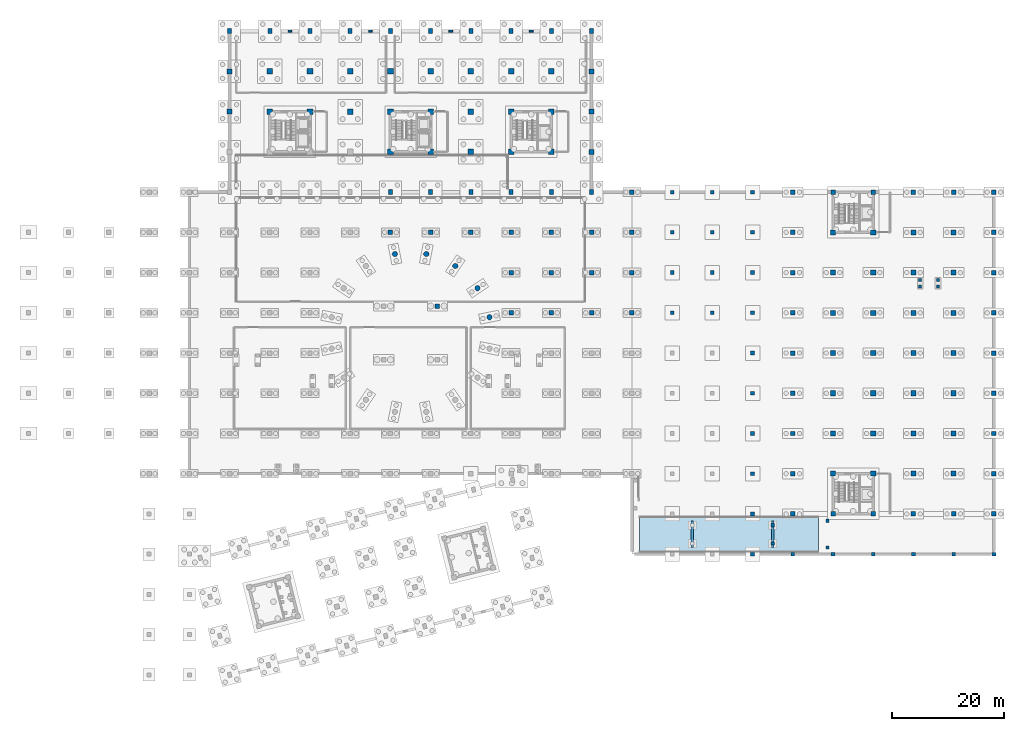
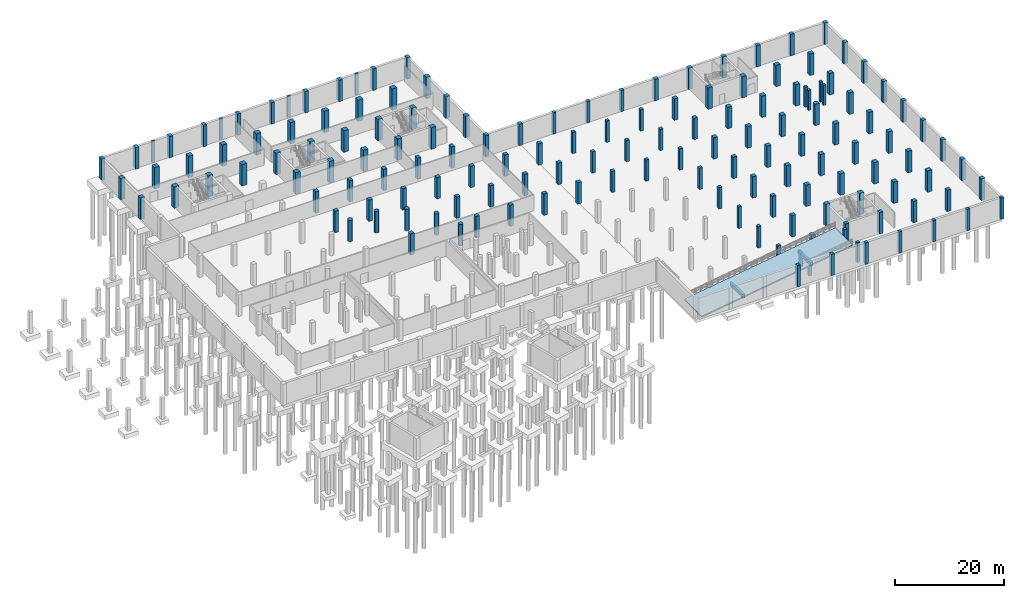
# One storey, part 8 of 19: 154 columns, 2 beams, 1 slab.
"""IFC4 building model written with IfcOpenShell, lengths in metres."""

from ifc_helpers import new_model, si_unit, direction, frame, origin, origin_2d, place, context, subcontext, project, spatial, polyline, rectangle, circle, outline, extrude, material, layer, layer_set, material_profile, profile_set, type_object, element, save


model = new_model("IFC4")

# Units and contexts
model_context = context("Model", 3, precision=1e-05, world=origin(), true_north=direction((0.0, 1.0)))
body_context = subcontext(model_context, "Body", "Model", "MODEL_VIEW")
ifc_project = project(units=[si_unit("LENGTHUNIT", "METRE"), si_unit("AREAUNIT", "SQUARE_METRE"), si_unit("VOLUMEUNIT", "CUBIC_METRE"), si_unit("PLANEANGLEUNIT", "RADIAN"), si_unit("MASSUNIT", "GRAM", prefix="KILO")], contexts=[model_context])

# Site, building, storey
site_placement = place(None, origin())
site = spatial("IfcSite", under=ifc_project, at=site_placement, CompositionType="ELEMENT")
building_placement = place(site_placement, origin())
building = spatial("IfcBuilding", under=site, at=building_placement, Name="Qiaolan Assembly House", CompositionType="ELEMENT")
storey_placement = place(building_placement, frame((0.0, 0.0, -4.800048828125)))
storey = spatial("IfcBuildingStorey", under=building, at=storey_placement, Name="B1", CompositionType="ELEMENT", Elevation=-4.800048828125)

# Columns
ifc_material_1 = material(Name="Concrete C50/60", Category="concrete")
ifc_material_profile_1 = material_profile(ifc_material_1, circle(Radius=0.47509765625, at=origin_2d()), Name="CIRC D950")
ifc_profile_set_1 = profile_set([ifc_material_profile_1], Name="Concrete C50/60")
column_type_1 = type_object("IfcColumnType", Name="COL-DRUM-D950", PredefinedType="COLUMN", material=ifc_profile_set_1)
for number, where, z_axis, x_axis, name in (
    (1, (82.523193359375, 64.00927734375, 0.0), (0.0, 0.0, 1.0), (1.0, 0.0, 0.0), "DC-01 chamber drum pier 1 B1"),
    (2, (80.373046875, 69.2001953125, 0.0), (0.0, 0.0, 1.0), (1.0, 0.0, 0.0), "DC-01 chamber drum pier 2 B1"),
    (3, (76.400146484375, 73.173095703125, 0.0), (0.0, 0.0, 1.0), (1.0, 0.0, 0.0), "DC-01 chamber drum pier 3 B1"),
    (4, (71.209228515625, 75.3232421875, 0.0), (0.0, 0.0, 1.0), (1.0, 0.0, 0.0), "DC-01 chamber drum pier 4 B1"),
    (5, (65.5908203125, 75.3232421875, 0.0), (0.0, 0.0, 1.0), (1.0, 0.0, 0.0), "DC-01 chamber drum pier 5 B1"),
):
    element("IfcColumn", number, at=place(storey_placement, frame(where, z_axis=z_axis, x_axis=x_axis)), inside=storey, type_object=column_type_1, Name=name, PredefinedType="COLUMN", context=body_context, shape_type="SweptSolid", body=[
        extrude(circle(Radius=0.47509765625, at=origin_2d()), origin(), (0.0, 0.0, 1.0), 4.800048828125),
    ])
ifc_material_profile_2 = material_profile(ifc_material_1, rectangle(XDim=1.0, YDim=1.0, at=origin_2d()), Name="RC 1000x1000")
ifc_profile_set_2 = profile_set([ifc_material_profile_2], Name="Concrete C50/60")
column_type_2 = type_object("IfcColumnType", Name="COL-RC-1000", PredefinedType="COLUMN", material=ifc_profile_set_2)
for number, where, z_axis, x_axis, name in (
    (6, (43.199951171875, 100.800048828125, 0.0), (0.0, 0.0, 1.0), (1.0, 0.0, 0.0), "RC-01 column NW B1"),
    (7, (43.199951171875, 108.0, 0.0), (0.0, 0.0, 1.0), (1.0, 0.0, 0.0), "RC-01 column NW B1"),
    (8, (50.39990234375, 100.800048828125, 0.0), (0.0, 0.0, 1.0), (1.0, 0.0, 0.0), "RC-01 column NW B1"),
    (9, (50.39990234375, 108.0, 0.0), (0.0, 0.0, 1.0), (1.0, 0.0, 0.0), "RC-01 column NW B1"),
    (10, (57.60009765625, 100.800048828125, 0.0), (0.0, 0.0, 1.0), (1.0, 0.0, 0.0), "RC-01 column NW B1"),
    (11, (57.60009765625, 108.0, 0.0), (0.0, 0.0, 1.0), (1.0, 0.0, 0.0), "RC-01 column NW B1"),
    (12, (64.800048828125, 93.60009765625, 0.0), (0.0, 0.0, 1.0), (1.0, 0.0, 0.0), "RC-01 column NW B1"),
    (13, (64.800048828125, 100.800048828125, 0.0), (0.0, 0.0, 1.0), (1.0, 0.0, 0.0), "RC-01 column NW B1"),
    (14, (64.800048828125, 108.0, 0.0), (0.0, 0.0, 1.0), (1.0, 0.0, 0.0), "RC-01 column NW B1"),
    (15, (72.0, 93.60009765625, 0.0), (0.0, 0.0, 1.0), (1.0, 0.0, 0.0), "RC-01 column NW B1"),
    (16, (72.0, 100.800048828125, 0.0), (0.0, 0.0, 1.0), (1.0, 0.0, 0.0), "RC-01 column NW B1"),
    (17, (72.0, 108.0, 0.0), (0.0, 0.0, 1.0), (1.0, 0.0, 0.0), "RC-01 column NW B1"),
    (18, (79.199951171875, 93.60009765625, 0.0), (0.0, 0.0, 1.0), (1.0, 0.0, 0.0), "RC-01 column NW B1"),
    (19, (79.199951171875, 100.800048828125, 0.0), (0.0, 0.0, 1.0), (1.0, 0.0, 0.0), "RC-01 column NW B1"),
    (20, (79.199951171875, 108.0, 0.0), (0.0, 0.0, 1.0), (1.0, 0.0, 0.0), "RC-01 column NW B1"),
    (21, (86.39990234375, 93.60009765625, 0.0), (0.0, 0.0, 1.0), (1.0, 0.0, 0.0), "RC-01 column NW B1"),
    (22, (86.39990234375, 100.800048828125, 0.0), (0.0, 0.0, 1.0), (1.0, 0.0, 0.0), "RC-01 column NW B1"),
    (23, (86.39990234375, 108.0, 0.0), (0.0, 0.0, 1.0), (1.0, 0.0, 0.0), "RC-01 column NW B1"),
    (24, (93.60009765625, 93.60009765625, 0.0), (0.0, 0.0, 1.0), (1.0, 0.0, 0.0), "RC-01 column NW B1"),
    (25, (93.60009765625, 100.800048828125, 0.0), (0.0, 0.0, 1.0), (1.0, 0.0, 0.0), "RC-01 column NW B1"),
    (26, (93.60009765625, 108.0, 0.0), (0.0, 0.0, 1.0), (1.0, 0.0, 0.0), "RC-01 column NW B1"),
):
    element("IfcColumn", number, at=place(storey_placement, frame(where, z_axis=z_axis, x_axis=x_axis)), inside=storey, type_object=column_type_2, Name=name, PredefinedType="COLUMN", context=body_context, shape_type="SweptSolid", body=[
        extrude(rectangle(XDim=1.0, YDim=1.0, at=origin_2d()), origin(), (0.0, 0.0, 1.0), 4.800048828125),
    ])
ifc_material_2 = material(Name="Concrete C40/50", Category="concrete")
ifc_material_profile_3 = material_profile(ifc_material_2, rectangle(XDim=0.550048828125, YDim=0.550048828125, at=origin_2d()), Name="RC 550x550")
ifc_profile_set_3 = profile_set([ifc_material_profile_3], Name="Concrete C40/50")
column_type_3 = type_object("IfcColumnType", Name="COL-RC-550", PredefinedType="COLUMN", material=ifc_profile_set_3)
for number, where, z_axis, x_axis, name in (
    (27, (159.60009765625, 69.5, 0.0), (0.0, 0.0, 1.0), (1.0, 0.0, 0.0), "RC-10 library stair B1 column 1"),
    (28, (162.800048828125, 69.5, 0.0), (0.0, 0.0, 1.0), (1.0, 0.0, 0.0), "RC-10 library stair B1 column 2"),
    (29, (159.60009765625, 70.699951171875, 0.0), (0.0, 0.0, 1.0), (1.0, 0.0, 0.0), "RC-10 library stair B1 column 3"),
    (30, (162.800048828125, 70.699951171875, 0.0), (0.0, 0.0, 1.0), (1.0, 0.0, 0.0), "RC-10 library stair B1 column 4"),
):
    element("IfcColumn", number, at=place(storey_placement, frame(where, z_axis=z_axis, x_axis=x_axis)), inside=storey, type_object=column_type_3, Name=name, PredefinedType="COLUMN", context=body_context, shape_type="SweptSolid", body=[
        extrude(rectangle(XDim=0.550048828125, YDim=0.550048828125, at=origin_2d()), origin(), (0.0, 0.0, 1.0), 4.5),
    ])
ifc_material_profile_4 = material_profile(ifc_material_2, rectangle(XDim=0.60009765625, YDim=0.60009765625, at=origin_2d()), Name="RC 600x600")
ifc_profile_set_4 = profile_set([ifc_material_profile_4], Name="Concrete C40/50")
column_type_4 = type_object("IfcColumnType", Name="COL-RC-600", PredefinedType="COLUMN", material=ifc_profile_set_4)
for number, where, z_axis, x_axis, name in (
    (31, (143.0, 22.800048828125, 0.0), (0.0, 0.0, 1.0), (1.0, 0.0, 0.0), "RC-09 service apron support pier 143-22"),
    (32, (143.0, 27.60009765625, 0.0), (0.0, 0.0, 1.0), (1.0, 0.0, 0.0), "RC-09 service apron support pier 143-27"),
):
    element("IfcColumn", number, at=place(storey_placement, frame(where, z_axis=z_axis, x_axis=x_axis)), inside=storey, type_object=column_type_4, Name=name, PredefinedType="COLUMN", context=body_context, shape_type="SweptSolid", body=[
        extrude(rectangle(XDim=0.60009765625, YDim=0.60009765625, at=origin_2d()), origin(), (0.0, 0.0, 1.0), 4.5),
    ])
for number, where, z_axis, x_axis, name in (
    (33, (133.199951171875, 23.5, 0.0), (0.0, 0.0, 1.0), (1.0, 0.0, 0.0), "RC-09 vehicle ramp pier 1"),
    (34, (133.199951171875, 26.800048828125, 0.0), (0.0, 0.0, 1.0), (1.0, 0.0, 0.0), "RC-09 vehicle ramp pier 1"),
):
    element("IfcColumn", number, at=place(storey_placement, frame(where, z_axis=z_axis, x_axis=x_axis)), inside=storey, type_object=column_type_4, Name=name, PredefinedType="COLUMN", context=body_context, shape_type="SweptSolid", body=[
        extrude(rectangle(XDim=0.60009765625, YDim=0.60009765625, at=origin_2d()), origin(), (0.0, 0.0, 1.0), 3.2900390625),
    ])
ifc_material_profile_5 = material_profile(ifc_material_2, rectangle(XDim=0.64990234375, YDim=0.64990234375, at=origin_2d()), Name="RC 650x650")
ifc_profile_set_5 = profile_set([ifc_material_profile_5], Name="Concrete C40/50")
column_type_5 = type_object("IfcColumnType", Name="COL-RC-650", PredefinedType="COLUMN", material=ifc_profile_set_5)
for number, where, z_axis, x_axis, name in (
    (35, (115.199951171875, 64.800048828125, 0.0), (0.0, 0.0, 1.0), (1.0, 0.0, 0.0), "RC-08 carpark/cloister column B1"),
    (36, (115.199951171875, 72.0, 0.0), (0.0, 0.0, 1.0), (1.0, 0.0, 0.0), "RC-08 carpark/cloister column B1"),
    (37, (115.199951171875, 79.199951171875, 0.0), (0.0, 0.0, 1.0), (1.0, 0.0, 0.0), "RC-08 carpark/cloister column B1"),
    (38, (115.199951171875, 86.39990234375, 0.0), (0.0, 0.0, 1.0), (1.0, 0.0, 0.0), "RC-08 carpark/cloister column B1"),
    (39, (122.39990234375, 64.800048828125, 0.0), (0.0, 0.0, 1.0), (1.0, 0.0, 0.0), "RC-08 carpark/cloister column B1"),
    (40, (122.39990234375, 72.0, 0.0), (0.0, 0.0, 1.0), (1.0, 0.0, 0.0), "RC-08 carpark/cloister column B1"),
    (41, (122.39990234375, 79.199951171875, 0.0), (0.0, 0.0, 1.0), (1.0, 0.0, 0.0), "RC-08 carpark/cloister column B1"),
    (42, (122.39990234375, 86.39990234375, 0.0), (0.0, 0.0, 1.0), (1.0, 0.0, 0.0), "RC-08 carpark/cloister column B1"),
    (43, (129.60009765625, 21.60009765625, 0.0), (0.0, 0.0, 1.0), (1.0, 0.0, 0.0), "RC-08 carpark/cloister column B1"),
    (44, (129.60009765625, 28.800048828125, 0.0), (0.0, 0.0, 1.0), (1.0, 0.0, 0.0), "RC-08 carpark/cloister column B1"),
    (45, (129.60009765625, 36.0, 0.0), (0.0, 0.0, 1.0), (1.0, 0.0, 0.0), "RC-08 carpark/cloister column B1"),
    (46, (129.60009765625, 43.199951171875, 0.0), (0.0, 0.0, 1.0), (1.0, 0.0, 0.0), "RC-08 carpark/cloister column B1"),
    (47, (129.60009765625, 50.39990234375, 0.0), (0.0, 0.0, 1.0), (1.0, 0.0, 0.0), "RC-08 carpark/cloister column B1"),
    (48, (129.60009765625, 57.60009765625, 0.0), (0.0, 0.0, 1.0), (1.0, 0.0, 0.0), "RC-08 carpark/cloister column B1"),
    (49, (129.60009765625, 64.800048828125, 0.0), (0.0, 0.0, 1.0), (1.0, 0.0, 0.0), "RC-08 carpark/cloister column B1"),
    (50, (129.60009765625, 72.0, 0.0), (0.0, 0.0, 1.0), (1.0, 0.0, 0.0), "RC-08 carpark/cloister column B1"),
    (51, (129.60009765625, 79.199951171875, 0.0), (0.0, 0.0, 1.0), (1.0, 0.0, 0.0), "RC-08 carpark/cloister column B1"),
    (52, (129.60009765625, 86.39990234375, 0.0), (0.0, 0.0, 1.0), (1.0, 0.0, 0.0), "RC-08 carpark/cloister column B1"),
    (53, (136.800048828125, 21.60009765625, 0.0), (0.0, 0.0, 1.0), (1.0, 0.0, 0.0), "RC-08 south apron column B1"),
    (54, (144.0, 21.60009765625, 0.0), (0.0, 0.0, 1.0), (1.0, 0.0, 0.0), "RC-08 south apron column B1"),
    (55, (151.199951171875, 21.60009765625, 0.0), (0.0, 0.0, 1.0), (1.0, 0.0, 0.0), "RC-08 south apron column B1"),
    (56, (158.39990234375, 21.60009765625, 0.0), (0.0, 0.0, 1.0), (1.0, 0.0, 0.0), "RC-08 south apron column B1"),
    (57, (165.60009765625, 21.60009765625, 0.0), (0.0, 0.0, 1.0), (1.0, 0.0, 0.0), "RC-08 south apron column B1"),
    (58, (172.800048828125, 21.60009765625, 0.0), (0.0, 0.0, 1.0), (1.0, 0.0, 0.0), "RC-08 south apron column B1"),
):
    element("IfcColumn", number, at=place(storey_placement, frame(where, z_axis=z_axis, x_axis=x_axis)), inside=storey, type_object=column_type_5, Name=name, PredefinedType="COLUMN", context=body_context, shape_type="SweptSolid", body=[
        extrude(rectangle(XDim=0.64990234375, YDim=0.64990234375, at=origin_2d()), origin(), (0.0, 0.0, 1.0), 4.800048828125),
    ])
ifc_material_3 = material(Name="Concrete C45/55", Category="concrete")
ifc_material_profile_6 = material_profile(ifc_material_3, rectangle(XDim=0.800048828125, YDim=0.800048828125, at=origin_2d()), Name="RC 800x800")
ifc_profile_set_6 = profile_set([ifc_material_profile_6], Name="Concrete C45/55")
column_type_6 = type_object("IfcColumnType", Name="COL-RC-800", PredefinedType="COLUMN", material=ifc_profile_set_6)
for number, where, z_axis, x_axis, name in (
    (59, (73.199951171875, 66.0, 0.0), (0.0, 0.0, 1.0), (1.0, 0.0, 0.0), "RC-05 chamber undercroft column 3 B1"),
    (60, (64.800048828125, 79.199951171875, 0.0), (0.0, 0.0, 1.0), (1.0, 0.0, 0.0), "RC-05 hall column B1"),
    (61, (72.0, 79.199951171875, 0.0), (0.0, 0.0, 1.0), (1.0, 0.0, 0.0), "RC-05 hall column B1"),
    (62, (79.199951171875, 79.199951171875, 0.0), (0.0, 0.0, 1.0), (1.0, 0.0, 0.0), "RC-05 hall column B1"),
    (63, (86.39990234375, 64.800048828125, 0.0), (0.0, 0.0, 1.0), (1.0, 0.0, 0.0), "RC-05 hall column B1"),
    (64, (86.39990234375, 72.0, 0.0), (0.0, 0.0, 1.0), (1.0, 0.0, 0.0), "RC-05 hall column B1"),
    (65, (86.39990234375, 79.199951171875, 0.0), (0.0, 0.0, 1.0), (1.0, 0.0, 0.0), "RC-05 hall column B1"),
    (66, (93.60009765625, 64.800048828125, 0.0), (0.0, 0.0, 1.0), (1.0, 0.0, 0.0), "RC-05 hall column B1"),
    (67, (93.60009765625, 72.0, 0.0), (0.0, 0.0, 1.0), (1.0, 0.0, 0.0), "RC-05 hall column B1"),
    (68, (93.60009765625, 79.199951171875, 0.0), (0.0, 0.0, 1.0), (1.0, 0.0, 0.0), "RC-05 hall column B1"),
    (69, (100.800048828125, 64.800048828125, 0.0), (0.0, 0.0, 1.0), (1.0, 0.0, 0.0), "RC-05 hall column B1"),
    (70, (100.800048828125, 72.0, 0.0), (0.0, 0.0, 1.0), (1.0, 0.0, 0.0), "RC-05 hall column B1"),
    (71, (100.800048828125, 79.199951171875, 0.0), (0.0, 0.0, 1.0), (1.0, 0.0, 0.0), "RC-05 hall column B1"),
    (72, (108.0, 64.800048828125, 0.0), (0.0, 0.0, 1.0), (1.0, 0.0, 0.0), "RC-05 hall column B1"),
    (73, (108.0, 72.0, 0.0), (0.0, 0.0, 1.0), (1.0, 0.0, 0.0), "RC-05 hall column B1"),
    (74, (108.0, 79.199951171875, 0.0), (0.0, 0.0, 1.0), (1.0, 0.0, 0.0), "RC-05 hall column B1"),
    (75, (108.0, 86.39990234375, 0.0), (0.0, 0.0, 1.0), (1.0, 0.0, 0.0), "RC-05 hall column B1"),
    (76, (136.800048828125, 28.800048828125, 0.0), (0.0, 0.0, 1.0), (1.0, 0.0, 0.0), "RC-05 library column B1"),
    (77, (136.800048828125, 36.0, 0.0), (0.0, 0.0, 1.0), (1.0, 0.0, 0.0), "RC-05 library column B1"),
    (78, (136.800048828125, 43.199951171875, 0.0), (0.0, 0.0, 1.0), (1.0, 0.0, 0.0), "RC-05 library column B1"),
    (79, (136.800048828125, 50.39990234375, 0.0), (0.0, 0.0, 1.0), (1.0, 0.0, 0.0), "RC-05 library column B1"),
    (80, (136.800048828125, 57.60009765625, 0.0), (0.0, 0.0, 1.0), (1.0, 0.0, 0.0), "RC-05 library column B1"),
    (81, (136.800048828125, 64.800048828125, 0.0), (0.0, 0.0, 1.0), (1.0, 0.0, 0.0), "RC-05 library column B1"),
    (82, (136.800048828125, 72.0, 0.0), (0.0, 0.0, 1.0), (1.0, 0.0, 0.0), "RC-05 library column B1"),
    (83, (136.800048828125, 79.199951171875, 0.0), (0.0, 0.0, 1.0), (1.0, 0.0, 0.0), "RC-05 library column B1"),
    (84, (136.800048828125, 86.39990234375, 0.0), (0.0, 0.0, 1.0), (1.0, 0.0, 0.0), "RC-05 library column B1"),
    (85, (144.0, 28.800048828125, 0.0), (0.0, 0.0, 1.0), (1.0, 0.0, 0.0), "RC-05 library column B1"),
    (86, (144.0, 86.39990234375, 0.0), (0.0, 0.0, 1.0), (1.0, 0.0, 0.0), "RC-05 library column B1"),
    (87, (151.199951171875, 28.800048828125, 0.0), (0.0, 0.0, 1.0), (1.0, 0.0, 0.0), "RC-05 library column B1"),
    (88, (151.199951171875, 86.39990234375, 0.0), (0.0, 0.0, 1.0), (1.0, 0.0, 0.0), "RC-05 library column B1"),
    (89, (158.39990234375, 28.800048828125, 0.0), (0.0, 0.0, 1.0), (1.0, 0.0, 0.0), "RC-05 library column B1"),
    (90, (158.39990234375, 86.39990234375, 0.0), (0.0, 0.0, 1.0), (1.0, 0.0, 0.0), "RC-05 library column B1"),
    (91, (165.60009765625, 28.800048828125, 0.0), (0.0, 0.0, 1.0), (1.0, 0.0, 0.0), "RC-05 library column B1"),
    (92, (165.60009765625, 86.39990234375, 0.0), (0.0, 0.0, 1.0), (1.0, 0.0, 0.0), "RC-05 library column B1"),
    (93, (172.800048828125, 28.800048828125, 0.0), (0.0, 0.0, 1.0), (1.0, 0.0, 0.0), "RC-05 library column B1"),
    (94, (172.800048828125, 36.0, 0.0), (0.0, 0.0, 1.0), (1.0, 0.0, 0.0), "RC-05 library column B1"),
    (95, (172.800048828125, 43.199951171875, 0.0), (0.0, 0.0, 1.0), (1.0, 0.0, 0.0), "RC-05 library column B1"),
    (96, (172.800048828125, 50.39990234375, 0.0), (0.0, 0.0, 1.0), (1.0, 0.0, 0.0), "RC-05 library column B1"),
    (97, (172.800048828125, 57.60009765625, 0.0), (0.0, 0.0, 1.0), (1.0, 0.0, 0.0), "RC-05 library column B1"),
    (98, (172.800048828125, 64.800048828125, 0.0), (0.0, 0.0, 1.0), (1.0, 0.0, 0.0), "RC-05 library column B1"),
    (99, (172.800048828125, 72.0, 0.0), (0.0, 0.0, 1.0), (1.0, 0.0, 0.0), "RC-05 library column B1"),
    (100, (172.800048828125, 79.199951171875, 0.0), (0.0, 0.0, 1.0), (1.0, 0.0, 0.0), "RC-05 library column B1"),
    (101, (172.800048828125, 86.39990234375, 0.0), (0.0, 0.0, 1.0), (1.0, 0.0, 0.0), "RC-05 library column B1"),
):
    element("IfcColumn", number, at=place(storey_placement, frame(where, z_axis=z_axis, x_axis=x_axis)), inside=storey, type_object=column_type_6, Name=name, PredefinedType="COLUMN", context=body_context, shape_type="SweptSolid", body=[
        extrude(rectangle(XDim=0.800048828125, YDim=0.800048828125, at=origin_2d()), origin(), (0.0, 0.0, 1.0), 4.800048828125),
    ])
ifc_material_profile_7 = material_profile(ifc_material_1, rectangle(XDim=0.89990234375, YDim=0.89990234375, at=origin_2d()), Name="RC 900x900")
ifc_profile_set_7 = profile_set([ifc_material_profile_7], Name="Concrete C50/60")
column_type_7 = type_object("IfcColumnType", Name="COL-RC-900", PredefinedType="COLUMN", material=ifc_profile_set_7)
for number, where, z_axis, x_axis, name in (
    (102, (36.0, 100.800048828125, 0.0), (0.0, 0.0, 1.0), (1.0, 0.0, 0.0), "RC-03 column NW B1"),
    (103, (36.0, 108.0, 0.0), (0.0, 0.0, 1.0), (1.0, 0.0, 0.0), "RC-03 column NW B1"),
    (104, (100.800048828125, 93.60009765625, 0.0), (0.0, 0.0, 1.0), (1.0, 0.0, 0.0), "RC-03 column NW B1"),
    (105, (100.800048828125, 100.800048828125, 0.0), (0.0, 0.0, 1.0), (1.0, 0.0, 0.0), "RC-03 column NW B1"),
    (106, (100.800048828125, 108.0, 0.0), (0.0, 0.0, 1.0), (1.0, 0.0, 0.0), "RC-03 column NW B1"),
    (107, (144.0, 36.0, 0.0), (0.0, 0.0, 1.0), (1.0, 0.0, 0.0), "RC-03 library column B1"),
    (108, (144.0, 43.199951171875, 0.0), (0.0, 0.0, 1.0), (1.0, 0.0, 0.0), "RC-03 library column B1"),
    (109, (144.0, 50.39990234375, 0.0), (0.0, 0.0, 1.0), (1.0, 0.0, 0.0), "RC-03 library column B1"),
    (110, (144.0, 57.60009765625, 0.0), (0.0, 0.0, 1.0), (1.0, 0.0, 0.0), "RC-03 library column B1"),
    (111, (144.0, 64.800048828125, 0.0), (0.0, 0.0, 1.0), (1.0, 0.0, 0.0), "RC-03 library column B1"),
    (112, (144.0, 72.0, 0.0), (0.0, 0.0, 1.0), (1.0, 0.0, 0.0), "RC-03 library column B1"),
    (113, (144.0, 79.199951171875, 0.0), (0.0, 0.0, 1.0), (1.0, 0.0, 0.0), "RC-03 library column B1"),
    (114, (151.199951171875, 36.0, 0.0), (0.0, 0.0, 1.0), (1.0, 0.0, 0.0), "RC-03 library column B1"),
    (115, (151.199951171875, 43.199951171875, 0.0), (0.0, 0.0, 1.0), (1.0, 0.0, 0.0), "RC-03 library column B1"),
    (116, (151.199951171875, 50.39990234375, 0.0), (0.0, 0.0, 1.0), (1.0, 0.0, 0.0), "RC-03 library column B1"),
    (117, (151.199951171875, 57.60009765625, 0.0), (0.0, 0.0, 1.0), (1.0, 0.0, 0.0), "RC-03 library column B1"),
    (118, (151.199951171875, 64.800048828125, 0.0), (0.0, 0.0, 1.0), (1.0, 0.0, 0.0), "RC-03 library column B1"),
    (119, (151.199951171875, 72.0, 0.0), (0.0, 0.0, 1.0), (1.0, 0.0, 0.0), "RC-03 library column B1"),
    (120, (151.199951171875, 79.199951171875, 0.0), (0.0, 0.0, 1.0), (1.0, 0.0, 0.0), "RC-03 library column B1"),
    (121, (158.39990234375, 36.0, 0.0), (0.0, 0.0, 1.0), (1.0, 0.0, 0.0), "RC-03 library column B1"),
    (122, (158.39990234375, 43.199951171875, 0.0), (0.0, 0.0, 1.0), (1.0, 0.0, 0.0), "RC-03 library column B1"),
    (123, (158.39990234375, 50.39990234375, 0.0), (0.0, 0.0, 1.0), (1.0, 0.0, 0.0), "RC-03 library column B1"),
    (124, (158.39990234375, 57.60009765625, 0.0), (0.0, 0.0, 1.0), (1.0, 0.0, 0.0), "RC-03 library column B1"),
    (125, (158.39990234375, 64.800048828125, 0.0), (0.0, 0.0, 1.0), (1.0, 0.0, 0.0), "RC-03 library column B1"),
    (126, (158.39990234375, 72.0, 0.0), (0.0, 0.0, 1.0), (1.0, 0.0, 0.0), "RC-03 library column B1"),
    (127, (158.39990234375, 79.199951171875, 0.0), (0.0, 0.0, 1.0), (1.0, 0.0, 0.0), "RC-03 library column B1"),
    (128, (165.60009765625, 36.0, 0.0), (0.0, 0.0, 1.0), (1.0, 0.0, 0.0), "RC-03 library column B1"),
    (129, (165.60009765625, 43.199951171875, 0.0), (0.0, 0.0, 1.0), (1.0, 0.0, 0.0), "RC-03 library column B1"),
    (130, (165.60009765625, 50.39990234375, 0.0), (0.0, 0.0, 1.0), (1.0, 0.0, 0.0), "RC-03 library column B1"),
    (131, (165.60009765625, 57.60009765625, 0.0), (0.0, 0.0, 1.0), (1.0, 0.0, 0.0), "RC-03 library column B1"),
    (132, (165.60009765625, 64.800048828125, 0.0), (0.0, 0.0, 1.0), (1.0, 0.0, 0.0), "RC-03 library column B1"),
    (133, (165.60009765625, 72.0, 0.0), (0.0, 0.0, 1.0), (1.0, 0.0, 0.0), "RC-03 library column B1"),
    (134, (165.60009765625, 79.199951171875, 0.0), (0.0, 0.0, 1.0), (1.0, 0.0, 0.0), "RC-03 library column B1"),
):
    element("IfcColumn", number, at=place(storey_placement, frame(where, z_axis=z_axis, x_axis=x_axis)), inside=storey, type_object=column_type_7, Name=name, PredefinedType="COLUMN", context=body_context, shape_type="SweptSolid", body=[
        extrude(rectangle(XDim=0.89990234375, YDim=0.89990234375, at=origin_2d()), origin(), (0.0, 0.0, 1.0), 4.800048828125),
    ])
ifc_material_profile_8 = material_profile(ifc_material_1, rectangle(XDim=0.719970703125, YDim=0.919921875, at=origin_2d()), Name="RC 920x720")
ifc_profile_set_8 = profile_set([ifc_material_profile_8], Name="Concrete C50/60")
column_type_8 = type_object("IfcColumnType", Name="COL-RC-920x720", PredefinedType="COLUMN", material=ifc_profile_set_8)
for number, where, z_axis, x_axis, name in (
    (135, (36.0, 115.199951171875, 0.0), (0.0, 0.0, 1.0), (1.0, 0.0, 0.0), "RC-17 column NW B1"),
    (136, (43.199951171875, 115.199951171875, 0.0), (0.0, 0.0, 1.0), (1.0, 0.0, 0.0), "RC-17 column NW B1"),
    (137, (50.39990234375, 115.199951171875, 0.0), (0.0, 0.0, 1.0), (1.0, 0.0, 0.0), "RC-17 column NW B1"),
    (138, (57.60009765625, 115.199951171875, 0.0), (0.0, 0.0, 1.0), (1.0, 0.0, 0.0), "RC-17 column NW B1"),
    (139, (64.800048828125, 86.39990234375, 0.0), (0.0, 0.0, 1.0), (1.0, 0.0, 0.0), "RC-17 column NW B1"),
    (140, (64.800048828125, 115.199951171875, 0.0), (0.0, 0.0, 1.0), (1.0, 0.0, 0.0), "RC-17 column NW B1"),
    (141, (72.0, 86.39990234375, 0.0), (0.0, 0.0, 1.0), (1.0, 0.0, 0.0), "RC-17 column NW B1"),
    (142, (72.0, 115.199951171875, 0.0), (0.0, 0.0, 1.0), (1.0, 0.0, 0.0), "RC-17 column NW B1"),
    (143, (79.199951171875, 86.39990234375, 0.0), (0.0, 0.0, 1.0), (1.0, 0.0, 0.0), "RC-17 column NW B1"),
    (144, (79.199951171875, 115.199951171875, 0.0), (0.0, 0.0, 1.0), (1.0, 0.0, 0.0), "RC-17 column NW B1"),
    (145, (86.39990234375, 86.39990234375, 0.0), (0.0, 0.0, 1.0), (1.0, 0.0, 0.0), "RC-17 column NW B1"),
    (146, (86.39990234375, 115.199951171875, 0.0), (0.0, 0.0, 1.0), (1.0, 0.0, 0.0), "RC-17 column NW B1"),
    (147, (93.60009765625, 86.39990234375, 0.0), (0.0, 0.0, 1.0), (1.0, 0.0, 0.0), "RC-17 column NW B1"),
    (148, (93.60009765625, 115.199951171875, 0.0), (0.0, 0.0, 1.0), (1.0, 0.0, 0.0), "RC-17 column NW B1"),
    (149, (100.800048828125, 86.39990234375, 0.0), (0.0, 0.0, 1.0), (1.0, 0.0, 0.0), "RC-17 column NW B1"),
    (150, (100.800048828125, 115.199951171875, 0.0), (0.0, 0.0, 1.0), (1.0, 0.0, 0.0), "RC-17 column NW B1"),
):
    element("IfcColumn", number, at=place(storey_placement, frame(where, z_axis=z_axis, x_axis=x_axis)), inside=storey, type_object=column_type_8, Name=name, PredefinedType="COLUMN", context=body_context, shape_type="SweptSolid", body=[
        extrude(rectangle(XDim=0.719970703125, YDim=0.919921875, at=origin_2d()), origin(), (0.0, 0.0, 1.0), 4.800048828125),
    ])
ifc_material_4 = material(Name="Precast concrete C45/55", Category="concrete")
ifc_material_profile_9 = material_profile(ifc_material_4, rectangle(XDim=0.64990234375, YDim=0.35009765625, at=origin_2d()), Name="PIL 650x350")
ifc_profile_set_9 = profile_set([ifc_material_profile_9], Name="Precast concrete C45/55")
column_type_9 = type_object("IfcColumnType", Name="PIL-NW-650x350", PredefinedType="PILASTER", material=ifc_profile_set_9)
for number, where, z_axis, x_axis, name in (
    (151, (46.800048828125, 115.199951171875, 0.0), (0.0, 0.0, 1.0), (1.0, 0.0, 0.0), "PL-02 neoclassical pilaster NW B1"),
    (152, (61.199951171875, 115.199951171875, 0.0), (0.0, 0.0, 1.0), (1.0, 0.0, 0.0), "PL-02 neoclassical pilaster NW B1"),
    (153, (75.60009765625, 115.199951171875, 0.0), (0.0, 0.0, 1.0), (1.0, 0.0, 0.0), "PL-02 neoclassical pilaster NW B1"),
    (154, (90.0, 115.199951171875, 0.0), (0.0, 0.0, 1.0), (1.0, 0.0, 0.0), "PL-02 neoclassical pilaster NW B1"),
):
    element("IfcColumn", number, at=place(storey_placement, frame(where, z_axis=z_axis, x_axis=x_axis)), inside=storey, type_object=column_type_9, Name=name, PredefinedType="PILASTER", context=body_context, shape_type="SweptSolid", body=[
        extrude(rectangle(XDim=0.64990234375, YDim=0.35009765625, at=origin_2d()), origin(), (0.0, 0.0, 1.0), 4.800048828125),
    ])

# Beams
ifc_material_profile_10 = material_profile(ifc_material_3, rectangle(XDim=0.5, YDim=0.85009765625, at=origin_2d()), Name="RCB 500x850")
ifc_profile_set_10 = profile_set([ifc_material_profile_10], Name="Concrete C45/55")
beam_type = type_object("IfcBeamType", Name="BM-RC-500x850", PredefinedType="BEAM", material=ifc_profile_set_10)
for number, where, z_axis, x_axis, name in (
    (155, (133.199951171875, 22.800048828125, 2.864990234375), (0.0, 1.0, 0.0), (-1.0, 0.0, 0.0), "GB-02 vehicle ramp cross-beam 1"),
    (156, (118.800048828125, 22.800048828125, 0.705078125), (0.0, 1.0, 0.0), (-1.0, 0.0, 0.0), "GB-02 vehicle ramp cross-beam 2"),
):
    element("IfcBeam", number, at=place(storey_placement, frame(where, z_axis=z_axis, x_axis=x_axis)), inside=storey, type_object=beam_type, Name=name, PredefinedType="BEAM", context=body_context, shape_type="SweptSolid", body=[
        extrude(rectangle(XDim=0.5, YDim=0.85009765625, at=origin_2d()), origin(), (0.0, 0.0, 1.0), 4.699951171875),
    ])

# Slab
ifc_layer = layer(ifc_material_3, 0.300048828125)
ifc_layer_set = layer_set([ifc_layer], Name="Concrete C45/55")
slab_type = type_object("IfcSlabType", Name="SLB-HALL-300", PredefinedType="FLOOR", material=ifc_layer_set)
slab_placement = place(storey_placement, frame((141.39990234375, 21.949951171875, 4.800048828125), z_axis=(-0.148341928722, 0.0, 0.988936131498), x_axis=(0.0, 1.0, 0.0)))
element("IfcSlab", 157, at=slab_placement, inside=storey, type_object=slab_type, Name="FS-02 Basement B1 Two-Way Structural Vehicle Ramp Slab (Concrete C45/55, 300 mm, 15% slope)", PredefinedType="FLOOR", context=body_context, shape_type="SweptSolid", body=[
    extrude(outline(polyline([(0.0, 0.0), (6.400146484375, 0.0), (6.400146484375, 32.35800470907291), (0.0, 32.35800470907291), (0.0, 0.0)])), origin(), (0.0, 0.0, -1.0), 0.300048828125),
])

save(model, "model.ifc")
